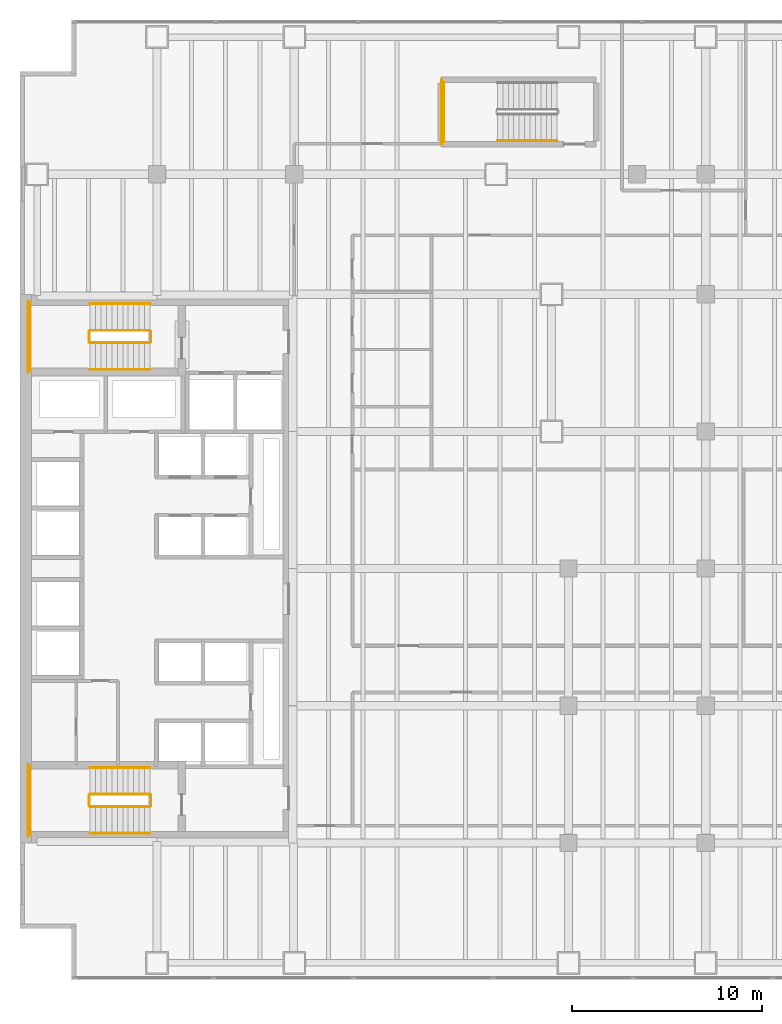
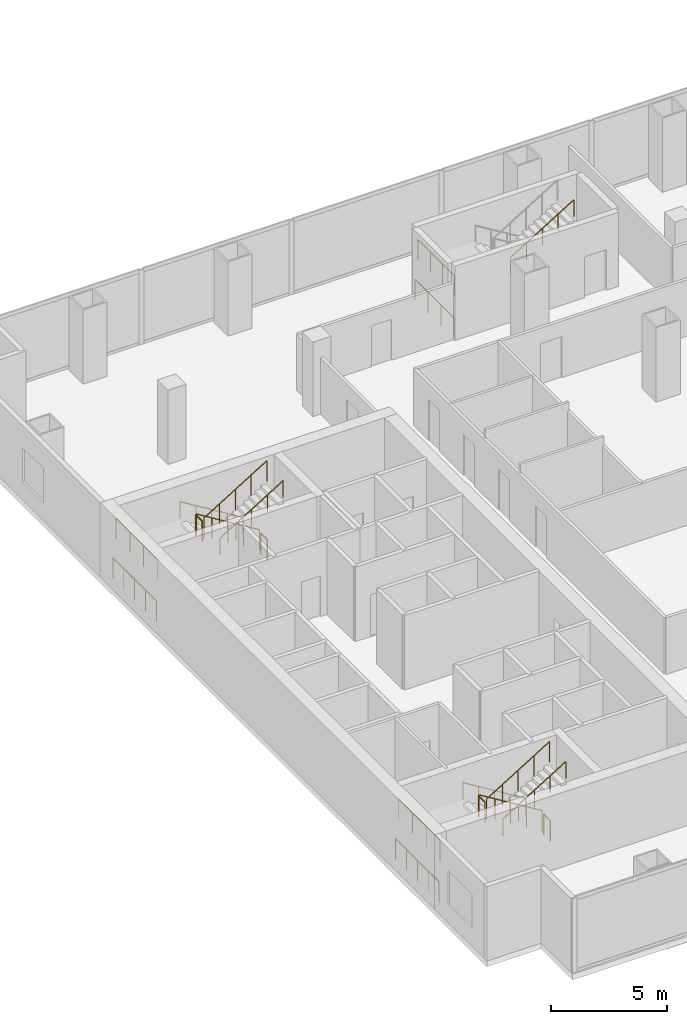
# One storey, part 28 of 29: 19 railings.
"""IFC4 building model written with IfcOpenShell, lengths in metres."""

from ifc_helpers import new_model, si_unit, direction, frame, origin, origin_2d, place, context, subcontext, project, spatial, circle, extrude, material, type_object, element, save


model = new_model("IFC4")

# Units and contexts
model_context = context("Model", 3, precision=1e-05, world=origin(), true_north=direction((0.0, 1.0)))
body_context = subcontext(model_context, "Body", "Model", "MODEL_VIEW")
ifc_project = project(units=[si_unit("LENGTHUNIT", "METRE"), si_unit("AREAUNIT", "SQUARE_METRE"), si_unit("VOLUMEUNIT", "CUBIC_METRE"), si_unit("PLANEANGLEUNIT", "RADIAN"), si_unit("MASSUNIT", "GRAM", prefix="KILO")], contexts=[model_context])

# Site, building, storey
site_placement = place(None, origin())
site = spatial("IfcSite", under=ifc_project, at=site_placement, CompositionType="ELEMENT")
building_placement = place(site_placement, origin())
building = spatial("IfcBuilding", under=site, at=building_placement, Name="Cobrela Telecom Tower", CompositionType="ELEMENT")
storey_placement = place(building_placement, frame((0.0, 0.0, 13.64990234375)))
storey = spatial("IfcBuildingStorey", under=building, at=storey_placement, Name="L03", CompositionType="ELEMENT", Elevation=13.64990234375)

# Railings
ifc_material = material(Name="Steel ASTM A36", Category="steel")
railing_type_1 = type_object("IfcRailingType", Name="RAIL-GUARD-1100", PredefinedType="GUARDRAIL", material=ifc_material)
railing_1_placement = place(storey_placement, frame((6.820068359375, 34.10009765625, 0.175048828125)))
element("IfcRailing", 1, at=railing_1_placement, inside=storey, type_object=railing_type_1, Name="L03 ST1 stair guard 1", PredefinedType="GUARDRAIL", context=body_context, shape_type="SweptSolid", body=[
    extrude(circle(Radius=0.02392578125, at=origin_2d()), frame((0.0, 0.0, 1.076171875), z_axis=(-0.852166034122, 0.0, 0.523271488128), x_axis=(0.0, -1.0, 0.0)), (0.0, 0.0, 1.0), 3.678955078125),
    extrude(circle(Radius=0.02099609375, at=origin_2d()), origin(), (0.0, 0.0, 1.0), 1.052001953125),
    extrude(circle(Radius=0.02099609375, at=origin_2d()), frame((-0.78369140625, 0.0, 0.481201171875)), (0.0, 0.0, 1.0), 1.052001953125),
    extrude(circle(Radius=0.02099609375, at=origin_2d()), frame((-1.5673828125, 0.0, 0.96240234375)), (0.0, 0.0, 1.0), 1.052001953125),
    extrude(circle(Radius=0.02099609375, at=origin_2d()), frame((-2.351318359375, 0.0, 1.44384765625)), (0.0, 0.0, 1.0), 1.052001953125),
    extrude(circle(Radius=0.02099609375, at=origin_2d()), frame((-3.135009765625, 0.0, 1.925048828125)), (0.0, 0.0, 1.0), 1.052001953125),
])
railing_2_placement = place(storey_placement, frame((3.635009765625, 34.050048828125, 2.10009765625)))
element("IfcRailing", 2, at=railing_2_placement, inside=storey, type_object=railing_type_1, Name="L03 ST1 stair guard 2", PredefinedType="GUARDRAIL", context=body_context, shape_type="SweptSolid", body=[
    extrude(circle(Radius=0.02392578125, at=origin_2d()), frame((0.0, 0.0, 1.076171875), z_axis=(0.0, -1.0, 0.0), x_axis=(1.0, 0.0, 0.0)), (0.0, 0.0, 1.0), 0.550048828125),
    extrude(circle(Radius=0.02099609375, at=origin_2d()), origin(), (0.0, 0.0, 1.0), 1.052001953125),
    extrude(circle(Radius=0.02099609375, at=origin_2d()), frame((0.0, -0.550048828125, 0.0)), (0.0, 0.0, 1.0), 1.052001953125),
])
railing_3_placement = place(storey_placement, frame((0.530029296875, 35.550048828125, 2.10009765625)))
element("IfcRailing", 3, at=railing_3_placement, inside=storey, type_object=railing_type_1, Name="L03 ST1 stair guard 3", PredefinedType="GUARDRAIL", context=body_context, shape_type="SweptSolid", body=[
    extrude(circle(Radius=0.02392578125, at=origin_2d()), frame((0.0, 0.0, 1.076171875), z_axis=(0.0, -1.0, 0.0), x_axis=(1.0, 0.0, 0.0)), (0.0, 0.0, 1.0), 3.550048828125),
    extrude(circle(Radius=0.02099609375, at=origin_2d()), origin(), (0.0, 0.0, 1.0), 1.052001953125),
    extrude(circle(Radius=0.02099609375, at=origin_2d()), frame((0.0, -1.183349609375, 0.0)), (0.0, 0.0, 1.0), 1.052001953125),
    extrude(circle(Radius=0.02099609375, at=origin_2d()), frame((0.0, -2.36669921875, 0.0)), (0.0, 0.0, 1.0), 1.052001953125),
    extrude(circle(Radius=0.02099609375, at=origin_2d()), frame((0.0, -3.550048828125, 0.0)), (0.0, 0.0, 1.0), 1.052001953125),
])
railing_4_placement = place(storey_placement, frame((3.68505859375, 33.449951171875, 2.275146484375)))
element("IfcRailing", 4, at=railing_4_placement, inside=storey, type_object=railing_type_1, Name="L03 ST1 stair guard 4", PredefinedType="GUARDRAIL", context=body_context, shape_type="SweptSolid", body=[
    extrude(circle(Radius=0.02392578125, at=origin_2d()), frame((0.0, 0.0, 1.076171875), z_axis=(0.852166034122, 0.0, 0.523271488128), x_axis=(0.0, 1.0, 0.0)), (0.0, 0.0, 1.0), 3.678955078125),
    extrude(circle(Radius=0.02099609375, at=origin_2d()), origin(), (0.0, 0.0, 1.0), 1.052001953125),
    extrude(circle(Radius=0.02099609375, at=origin_2d()), frame((0.78369140625, 0.0, 0.481201171875)), (0.0, 0.0, 1.0), 1.052001953125),
    extrude(circle(Radius=0.02099609375, at=origin_2d()), frame((1.5673828125, 0.0, 0.96240234375)), (0.0, 0.0, 1.0), 1.052001953125),
    extrude(circle(Radius=0.02099609375, at=origin_2d()), frame((2.351318359375, 0.0, 1.44384765625)), (0.0, 0.0, 1.0), 1.052001953125),
    extrude(circle(Radius=0.02099609375, at=origin_2d()), frame((3.135009765625, 0.0, 1.925048828125)), (0.0, 0.0, 1.0), 1.052001953125),
])
railing_5_placement = place(storey_placement, frame((6.8701171875, 34.050048828125, 0.0)))
element("IfcRailing", 5, at=railing_5_placement, inside=storey, type_object=railing_type_1, Name="L03 ST1 stair guard 5", PredefinedType="GUARDRAIL", context=body_context, shape_type="SweptSolid", body=[
    extrude(circle(Radius=0.02392578125, at=origin_2d()), frame((0.0, 0.0, 1.076171875), z_axis=(0.0, -1.0, 0.0), x_axis=(1.0, 0.0, 0.0)), (0.0, 0.0, 1.0), 0.550048828125),
    extrude(circle(Radius=0.02099609375, at=origin_2d()), origin(), (0.0, 0.0, 1.0), 1.052001953125),
    extrude(circle(Radius=0.02099609375, at=origin_2d()), frame((0.0, -0.550048828125, 0.0)), (0.0, 0.0, 1.0), 1.052001953125),
])
railing_6_placement = place(storey_placement, frame((0.429931640625, 35.64990234375, 0.0)))
element("IfcRailing", 6, at=railing_6_placement, inside=storey, type_object=railing_type_1, Name="L03 ST1 stair guard 6", PredefinedType="GUARDRAIL", context=body_context, shape_type="SweptSolid", body=[
    extrude(circle(Radius=0.02392578125, at=origin_2d()), frame((0.0, 0.0, 1.076171875), z_axis=(0.0, -1.0, 0.0), x_axis=(1.0, 0.0, 0.0)), (0.0, 0.0, 1.0), 3.75),
    extrude(circle(Radius=0.02099609375, at=origin_2d()), origin(), (0.0, 0.0, 1.0), 1.052001953125),
    extrude(circle(Radius=0.02099609375, at=origin_2d()), frame((0.0, -0.9375, 0.0)), (0.0, 0.0, 1.0), 1.052001953125),
    extrude(circle(Radius=0.02099609375, at=origin_2d()), frame((0.0, -1.875, 0.0)), (0.0, 0.0, 1.0), 1.052001953125),
    extrude(circle(Radius=0.02099609375, at=origin_2d()), frame((0.0, -2.8125, 0.0)), (0.0, 0.0, 1.0), 1.052001953125),
    extrude(circle(Radius=0.02099609375, at=origin_2d()), frame((0.0, -3.75, 0.0)), (0.0, 0.0, 1.0), 1.052001953125),
])
railing_7_placement = place(storey_placement, frame((6.820068359375, 9.75, 0.175048828125)))
element("IfcRailing", 7, at=railing_7_placement, inside=storey, type_object=railing_type_1, Name="L03 ST2 stair guard 1", PredefinedType="GUARDRAIL", context=body_context, shape_type="SweptSolid", body=[
    extrude(circle(Radius=0.02392578125, at=origin_2d()), frame((0.0, 0.0, 1.076171875), z_axis=(-0.852166034122, 0.0, 0.523271488128), x_axis=(0.0, -1.0, 0.0)), (0.0, 0.0, 1.0), 3.678955078125),
    extrude(circle(Radius=0.02099609375, at=origin_2d()), origin(), (0.0, 0.0, 1.0), 1.052001953125),
    extrude(circle(Radius=0.02099609375, at=origin_2d()), frame((-0.78369140625, 0.0, 0.481201171875)), (0.0, 0.0, 1.0), 1.052001953125),
    extrude(circle(Radius=0.02099609375, at=origin_2d()), frame((-1.5673828125, 0.0, 0.96240234375)), (0.0, 0.0, 1.0), 1.052001953125),
    extrude(circle(Radius=0.02099609375, at=origin_2d()), frame((-2.351318359375, 0.0, 1.44384765625)), (0.0, 0.0, 1.0), 1.052001953125),
    extrude(circle(Radius=0.02099609375, at=origin_2d()), frame((-3.135009765625, 0.0, 1.925048828125)), (0.0, 0.0, 1.0), 1.052001953125),
])
railing_8_placement = place(storey_placement, frame((3.635009765625, 9.699951171875, 2.10009765625)))
element("IfcRailing", 8, at=railing_8_placement, inside=storey, type_object=railing_type_1, Name="L03 ST2 stair guard 2", PredefinedType="GUARDRAIL", context=body_context, shape_type="SweptSolid", body=[
    extrude(circle(Radius=0.02392578125, at=origin_2d()), frame((0.0, 0.0, 1.076171875), z_axis=(0.0, -1.0, 0.0), x_axis=(1.0, 0.0, 0.0)), (0.0, 0.0, 1.0), 0.550048828125),
    extrude(circle(Radius=0.02099609375, at=origin_2d()), origin(), (0.0, 0.0, 1.0), 1.052001953125),
    extrude(circle(Radius=0.02099609375, at=origin_2d()), frame((0.0, -0.550048828125, 0.0)), (0.0, 0.0, 1.0), 1.052001953125),
])
railing_9_placement = place(storey_placement, frame((0.530029296875, 11.199951171875, 2.10009765625)))
element("IfcRailing", 9, at=railing_9_placement, inside=storey, type_object=railing_type_1, Name="L03 ST2 stair guard 3", PredefinedType="GUARDRAIL", context=body_context, shape_type="SweptSolid", body=[
    extrude(circle(Radius=0.02392578125, at=origin_2d()), frame((0.0, 0.0, 1.076171875), z_axis=(0.0, -1.0, 0.0), x_axis=(1.0, 0.0, 0.0)), (0.0, 0.0, 1.0), 3.550048828125),
    extrude(circle(Radius=0.02099609375, at=origin_2d()), origin(), (0.0, 0.0, 1.0), 1.052001953125),
    extrude(circle(Radius=0.02099609375, at=origin_2d()), frame((0.0, -1.183349609375, 0.0)), (0.0, 0.0, 1.0), 1.052001953125),
    extrude(circle(Radius=0.02099609375, at=origin_2d()), frame((0.0, -2.36669921875, 0.0)), (0.0, 0.0, 1.0), 1.052001953125),
    extrude(circle(Radius=0.02099609375, at=origin_2d()), frame((0.0, -3.550048828125, 0.0)), (0.0, 0.0, 1.0), 1.052001953125),
])
railing_10_placement = place(storey_placement, frame((3.68505859375, 9.10009765625, 2.275146484375)))
element("IfcRailing", 10, at=railing_10_placement, inside=storey, type_object=railing_type_1, Name="L03 ST2 stair guard 4", PredefinedType="GUARDRAIL", context=body_context, shape_type="SweptSolid", body=[
    extrude(circle(Radius=0.02392578125, at=origin_2d()), frame((0.0, 0.0, 1.076171875), z_axis=(0.852166034122, 0.0, 0.523271488128), x_axis=(0.0, 1.0, 0.0)), (0.0, 0.0, 1.0), 3.678955078125),
    extrude(circle(Radius=0.02099609375, at=origin_2d()), origin(), (0.0, 0.0, 1.0), 1.052001953125),
    extrude(circle(Radius=0.02099609375, at=origin_2d()), frame((0.78369140625, 0.0, 0.481201171875)), (0.0, 0.0, 1.0), 1.052001953125),
    extrude(circle(Radius=0.02099609375, at=origin_2d()), frame((1.5673828125, 0.0, 0.96240234375)), (0.0, 0.0, 1.0), 1.052001953125),
    extrude(circle(Radius=0.02099609375, at=origin_2d()), frame((2.351318359375, 0.0, 1.44384765625)), (0.0, 0.0, 1.0), 1.052001953125),
    extrude(circle(Radius=0.02099609375, at=origin_2d()), frame((3.135009765625, 0.0, 1.925048828125)), (0.0, 0.0, 1.0), 1.052001953125),
])
railing_11_placement = place(storey_placement, frame((6.8701171875, 9.699951171875, 0.0)))
element("IfcRailing", 11, at=railing_11_placement, inside=storey, type_object=railing_type_1, Name="L03 ST2 stair guard 5", PredefinedType="GUARDRAIL", context=body_context, shape_type="SweptSolid", body=[
    extrude(circle(Radius=0.02392578125, at=origin_2d()), frame((0.0, 0.0, 1.076171875), z_axis=(0.0, -1.0, 0.0), x_axis=(1.0, 0.0, 0.0)), (0.0, 0.0, 1.0), 0.550048828125),
    extrude(circle(Radius=0.02099609375, at=origin_2d()), origin(), (0.0, 0.0, 1.0), 1.052001953125),
    extrude(circle(Radius=0.02099609375, at=origin_2d()), frame((0.0, -0.550048828125, 0.0)), (0.0, 0.0, 1.0), 1.052001953125),
])
railing_12_placement = place(storey_placement, frame((0.429931640625, 11.300048828125, 0.0)))
element("IfcRailing", 12, at=railing_12_placement, inside=storey, type_object=railing_type_1, Name="L03 ST2 stair guard 6", PredefinedType="GUARDRAIL", context=body_context, shape_type="SweptSolid", body=[
    extrude(circle(Radius=0.02392578125, at=origin_2d()), frame((0.0, 0.0, 1.076171875), z_axis=(0.0, -1.0, 0.0), x_axis=(1.0, 0.0, 0.0)), (0.0, 0.0, 1.0), 3.75),
    extrude(circle(Radius=0.02099609375, at=origin_2d()), origin(), (0.0, 0.0, 1.0), 1.052001953125),
    extrude(circle(Radius=0.02099609375, at=origin_2d()), frame((0.0, -0.9375, 0.0)), (0.0, 0.0, 1.0), 1.052001953125),
    extrude(circle(Radius=0.02099609375, at=origin_2d()), frame((0.0, -1.875, 0.0)), (0.0, 0.0, 1.0), 1.052001953125),
    extrude(circle(Radius=0.02099609375, at=origin_2d()), frame((0.0, -2.8125, 0.0)), (0.0, 0.0, 1.0), 1.052001953125),
    extrude(circle(Radius=0.02099609375, at=origin_2d()), frame((0.0, -3.75, 0.0)), (0.0, 0.0, 1.0), 1.052001953125),
])
railing_13_placement = place(storey_placement, frame((22.25, 47.14990234375, 2.10009765625)))
element("IfcRailing", 13, at=railing_13_placement, inside=storey, type_object=railing_type_1, Name="L03 ST3 stair guard 3", PredefinedType="GUARDRAIL", context=body_context, shape_type="SweptSolid", body=[
    extrude(circle(Radius=0.02392578125, at=origin_2d()), frame((0.0, 0.0, 1.076171875), z_axis=(0.0, -1.0, 0.0), x_axis=(1.0, 0.0, 0.0)), (0.0, 0.0, 1.0), 3.14990234375),
    extrude(circle(Radius=0.02099609375, at=origin_2d()), origin(), (0.0, 0.0, 1.0), 1.052001953125),
    extrude(circle(Radius=0.02099609375, at=origin_2d()), frame((0.0, -1.050048828125, 0.0)), (0.0, 0.0, 1.0), 1.052001953125),
    extrude(circle(Radius=0.02099609375, at=origin_2d()), frame((0.0, -2.099853515625, 0.0)), (0.0, 0.0, 1.0), 1.052001953125),
    extrude(circle(Radius=0.02099609375, at=origin_2d()), frame((0.0, -3.14990234375, 0.0)), (0.0, 0.0, 1.0), 1.052001953125),
])
railing_14_placement = place(storey_placement, frame((22.14990234375, 47.25, 0.0)))
element("IfcRailing", 14, at=railing_14_placement, inside=storey, type_object=railing_type_1, Name="L03 ST3 stair guard 6", PredefinedType="GUARDRAIL", context=body_context, shape_type="SweptSolid", body=[
    extrude(circle(Radius=0.02392578125, at=origin_2d()), frame((0.0, 0.0, 1.076171875), z_axis=(0.0, -1.0, 0.0), x_axis=(1.0, 0.0, 0.0)), (0.0, 0.0, 1.0), 3.35009765625),
    extrude(circle(Radius=0.02099609375, at=origin_2d()), origin(), (0.0, 0.0, 1.0), 1.052001953125),
    extrude(circle(Radius=0.02099609375, at=origin_2d()), frame((0.0, -1.11669921875, 0.0)), (0.0, 0.0, 1.0), 1.052001953125),
    extrude(circle(Radius=0.02099609375, at=origin_2d()), frame((0.0, -2.2333984375, 0.0)), (0.0, 0.0, 1.0), 1.052001953125),
    extrude(circle(Radius=0.02099609375, at=origin_2d()), frame((0.0, -3.35009765625, 0.0)), (0.0, 0.0, 1.0), 1.052001953125),
])
railing_type_2 = type_object("IfcRailingType", Name="RAIL-HAND-920", PredefinedType="HANDRAIL", material=ifc_material)
railing_15_placement = place(storey_placement, frame((6.820068359375, 35.5, 0.175048828125)))
element("IfcRailing", 15, at=railing_15_placement, inside=storey, type_object=railing_type_2, Name="L03 ST1 stair handrail 1", PredefinedType="HANDRAIL", context=body_context, shape_type="SweptSolid", body=[
    extrude(circle(Radius=0.02392578125, at=origin_2d()), frame((0.0, 0.0, 0.8759765625), z_axis=(-0.852166034122, 0.0, 0.523271488128), x_axis=(0.0, -1.0, 0.0)), (0.0, 0.0, 1.0), 3.678955078125),
    extrude(circle(Radius=0.02099609375, at=origin_2d()), origin(), (0.0, 0.0, 1.0), 0.851806640625),
    extrude(circle(Radius=0.02099609375, at=origin_2d()), frame((-0.78369140625, 0.0, 0.481201171875)), (0.0, 0.0, 1.0), 0.851806640625),
    extrude(circle(Radius=0.02099609375, at=origin_2d()), frame((-1.5673828125, 0.0, 0.96240234375)), (0.0, 0.0, 1.0), 0.851806640625),
    extrude(circle(Radius=0.02099609375, at=origin_2d()), frame((-2.351318359375, 0.0, 1.44384765625)), (0.0, 0.0, 1.0), 0.851806640625),
    extrude(circle(Radius=0.02099609375, at=origin_2d()), frame((-3.135009765625, 0.0, 1.925048828125)), (0.0, 0.0, 1.0), 0.851806640625),
])
railing_16_placement = place(storey_placement, frame((3.68505859375, 32.050048828125, 2.275146484375)))
element("IfcRailing", 16, at=railing_16_placement, inside=storey, type_object=railing_type_2, Name="L03 ST1 stair handrail 2", PredefinedType="HANDRAIL", context=body_context, shape_type="SweptSolid", body=[
    extrude(circle(Radius=0.02392578125, at=origin_2d()), frame((0.0, 0.0, 0.8759765625), z_axis=(0.852166034122, 0.0, 0.523271488128), x_axis=(0.0, 1.0, 0.0)), (0.0, 0.0, 1.0), 3.678955078125),
    extrude(circle(Radius=0.02099609375, at=origin_2d()), origin(), (0.0, 0.0, 1.0), 0.851806640625),
    extrude(circle(Radius=0.02099609375, at=origin_2d()), frame((0.78369140625, 0.0, 0.481201171875)), (0.0, 0.0, 1.0), 0.851806640625),
    extrude(circle(Radius=0.02099609375, at=origin_2d()), frame((1.5673828125, 0.0, 0.96240234375)), (0.0, 0.0, 1.0), 0.851806640625),
    extrude(circle(Radius=0.02099609375, at=origin_2d()), frame((2.351318359375, 0.0, 1.44384765625)), (0.0, 0.0, 1.0), 0.851806640625),
    extrude(circle(Radius=0.02099609375, at=origin_2d()), frame((3.135009765625, 0.0, 1.925048828125)), (0.0, 0.0, 1.0), 0.851806640625),
])
railing_17_placement = place(storey_placement, frame((6.820068359375, 11.14990234375, 0.175048828125)))
element("IfcRailing", 17, at=railing_17_placement, inside=storey, type_object=railing_type_2, Name="L03 ST2 stair handrail 1", PredefinedType="HANDRAIL", context=body_context, shape_type="SweptSolid", body=[
    extrude(circle(Radius=0.02392578125, at=origin_2d()), frame((0.0, 0.0, 0.8759765625), z_axis=(-0.852166034122, 0.0, 0.523271488128), x_axis=(0.0, -1.0, 0.0)), (0.0, 0.0, 1.0), 3.678955078125),
    extrude(circle(Radius=0.02099609375, at=origin_2d()), origin(), (0.0, 0.0, 1.0), 0.851806640625),
    extrude(circle(Radius=0.02099609375, at=origin_2d()), frame((-0.78369140625, 0.0, 0.481201171875)), (0.0, 0.0, 1.0), 0.851806640625),
    extrude(circle(Radius=0.02099609375, at=origin_2d()), frame((-1.5673828125, 0.0, 0.96240234375)), (0.0, 0.0, 1.0), 0.851806640625),
    extrude(circle(Radius=0.02099609375, at=origin_2d()), frame((-2.351318359375, 0.0, 1.44384765625)), (0.0, 0.0, 1.0), 0.851806640625),
    extrude(circle(Radius=0.02099609375, at=origin_2d()), frame((-3.135009765625, 0.0, 1.925048828125)), (0.0, 0.0, 1.0), 0.851806640625),
])
for number, where, name in (
    (18, (3.68505859375, 7.699951171875, 2.275146484375), "L03 ST2 stair handrail 2"),
    (19, (25.06494140625, 44.050048828125, 2.275146484375), "L03 ST3 stair handrail 2"),
):
    element("IfcRailing", number, at=place(storey_placement, frame(where)), inside=storey, type_object=railing_type_2, Name=name, PredefinedType="HANDRAIL", context=body_context, shape_type="SweptSolid", body=[
        extrude(circle(Radius=0.02392578125, at=origin_2d()), frame((0.0, 0.0, 0.8759765625), z_axis=(0.852166034122, 0.0, 0.523271488128), x_axis=(0.0, 1.0, 0.0)), (0.0, 0.0, 1.0), 3.678955078125),
        extrude(circle(Radius=0.02099609375, at=origin_2d()), origin(), (0.0, 0.0, 1.0), 0.851806640625),
        extrude(circle(Radius=0.02099609375, at=origin_2d()), frame((0.78369140625, 0.0, 0.481201171875)), (0.0, 0.0, 1.0), 0.851806640625),
        extrude(circle(Radius=0.02099609375, at=origin_2d()), frame((1.5673828125, 0.0, 0.96240234375)), (0.0, 0.0, 1.0), 0.851806640625),
        extrude(circle(Radius=0.02099609375, at=origin_2d()), frame((2.351318359375, 0.0, 1.44384765625)), (0.0, 0.0, 1.0), 0.851806640625),
        extrude(circle(Radius=0.02099609375, at=origin_2d()), frame((3.135009765625, 0.0, 1.925048828125)), (0.0, 0.0, 1.0), 0.851806640625),
    ])

save(model, "model.ifc")
